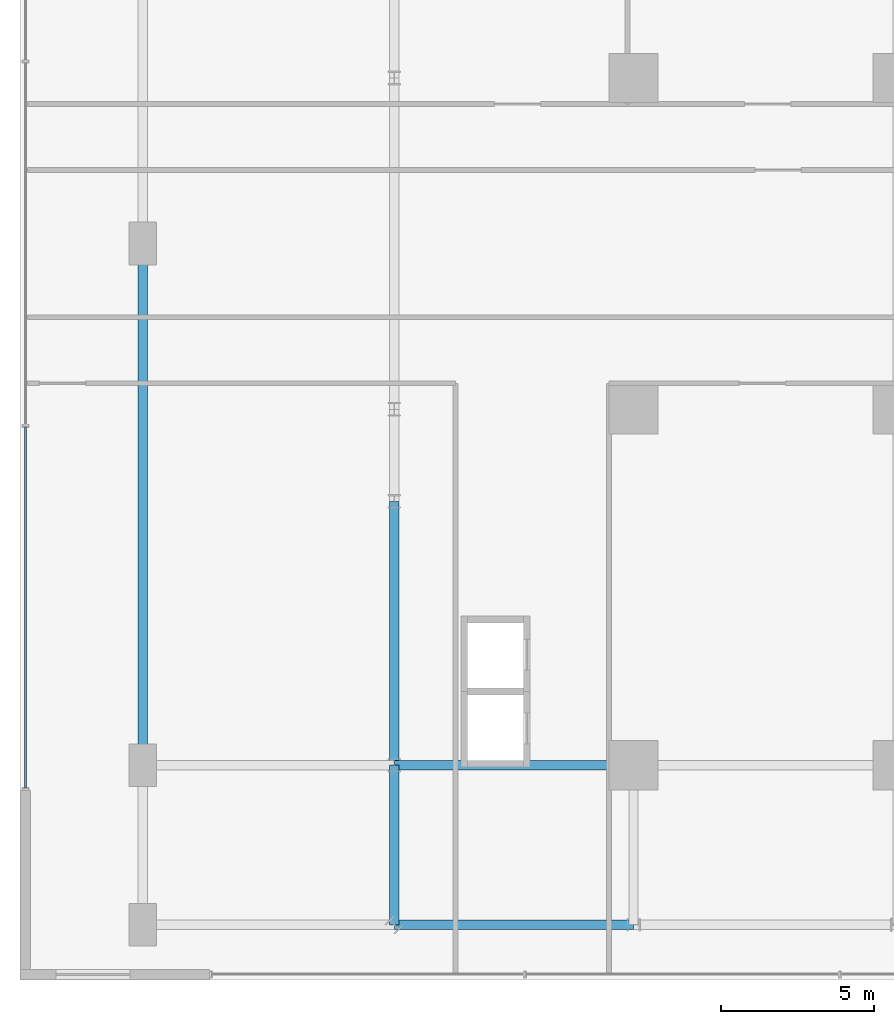
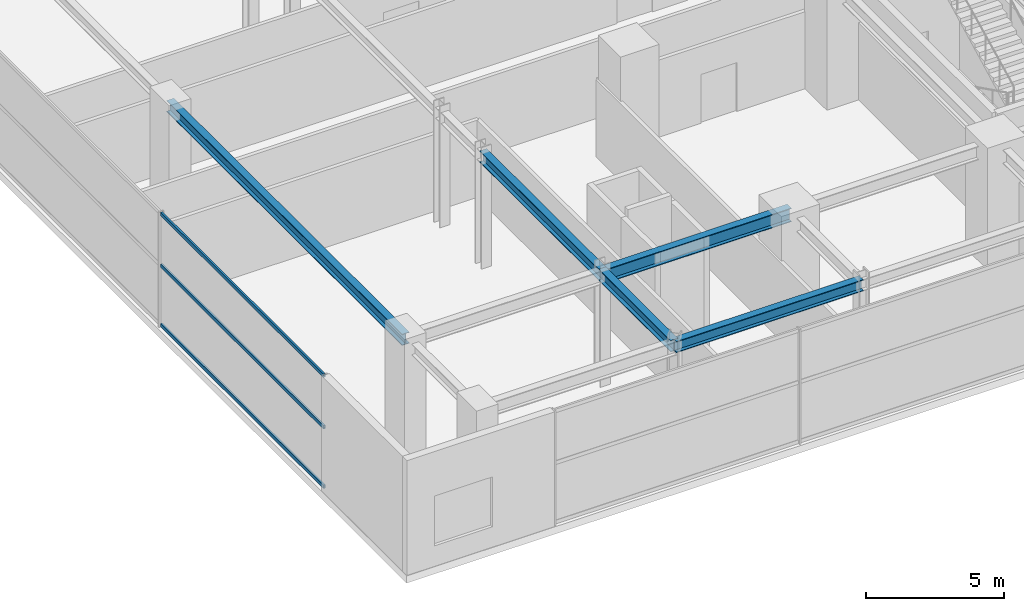
# One storey, part 5 of 32: 5 beams, 3 members, 1 element without a shape of its own.
"""IFC4 building model written with IfcOpenShell, lengths in metres."""

from ifc_helpers import new_model, si_unit, direction, frame, origin, origin_2d, place, context, subcontext, project, spatial, hollow_rectangle, i_section, extrude, source, transform, mapped, material, material_profile, profile_set, type_object, element, aggregate, save


model = new_model("IFC4")

# Units and contexts
model_context = context("Model", 3, precision=1e-05, world=origin(), true_north=direction((0.0, 1.0)))
body_context = subcontext(model_context, "Body", "Model", "MODEL_VIEW")
ifc_project = project(units=[si_unit("LENGTHUNIT", "METRE"), si_unit("AREAUNIT", "SQUARE_METRE"), si_unit("VOLUMEUNIT", "CUBIC_METRE"), si_unit("PLANEANGLEUNIT", "RADIAN"), si_unit("MASSUNIT", "GRAM", prefix="KILO")], contexts=[model_context])

# Site, building, storey
site_placement = place(None, origin())
site = spatial("IfcSite", under=ifc_project, at=site_placement, CompositionType="ELEMENT")
building_placement = place(site_placement, origin())
building = spatial("IfcBuilding", under=site, at=building_placement, Name="Nahalor Promenade Grand Hotel", CompositionType="ELEMENT")
storey_placement = place(building_placement, frame((0.0, 0.0, 10.800048828125)))
storey = spatial("IfcBuildingStorey", under=building, at=storey_placement, Name="L02", CompositionType="ELEMENT", Elevation=10.800048828125)

# Beams
ifc_material_1 = material(Name="Steel S355JR", Category="steel")
ifc_material_profile_1 = material_profile(ifc_material_1, i_section(OverallWidth=0.3, OverallDepth=0.6, WebThickness=0.0155, FlangeThickness=0.03, at=origin_2d()), Name="HEB 600")
ifc_profile_set_1 = profile_set([ifc_material_profile_1], Name="Steel S355JR")
beam_type_1 = type_object("IfcBeamType", Name="Beam-Girder-HEB600", PredefinedType="BEAM", material=ifc_profile_set_1)
shared_shape_1 = source(origin(), body_context, "Body", "SweptSolid", [
    extrude(i_section(OverallWidth=0.3, OverallDepth=0.6, WebThickness=0.0155, FlangeThickness=0.03, at=origin_2d()), origin(), (0.0, 0.0, 1.0), 7.800048828125),
])
beam_1_placement = place(storey_placement, frame((-24.800048828125, -17.0, 4.760009765625), z_axis=(1.0, 0.0, 0.0), x_axis=(0.0, 1.0, 0.0)))
element("IfcBeam", 1, at=beam_1_placement, inside=storey, type_object=beam_type_1, Name="BM-L02-GX-0-1", PredefinedType="BEAM", context=body_context, shape_type="MappedRepresentation", body=[
    mapped(shared_shape_1, transform((0.0, 0.0, 0.0), scale=1.0)),
])
ifc_material_profile_2 = material_profile(ifc_material_1, i_section(OverallWidth=0.3, OverallDepth=0.5, WebThickness=0.0145, FlangeThickness=0.028, at=origin_2d()), Name="HEB 500")
ifc_profile_set_2 = profile_set([ifc_material_profile_2], Name="Steel S355JR")
beam_type_2 = type_object("IfcBeamType", Name="Beam-Spandrel-HEB500", PredefinedType="SPANDREL", material=ifc_profile_set_2)
shared_shape_2 = source(origin(), body_context, "Body", "SweptSolid", [
    extrude(i_section(OverallWidth=0.3, OverallDepth=0.5, WebThickness=0.0145, FlangeThickness=0.028, at=origin_2d()), origin(), (0.0, 0.0, 1.0), 8.60009765625),
])
beam_2_placement = place(storey_placement, frame((-24.800048828125, -17.0, 4.81005859375), z_axis=(0.0, 1.0, 0.0), x_axis=(-1.0, 0.0, 0.0)))
element("IfcBeam", 2, at=beam_2_placement, inside=storey, type_object=beam_type_2, Name="BM-L02-SP-W-0", PredefinedType="SPANDREL", context=body_context, shape_type="MappedRepresentation", body=[
    mapped(shared_shape_2, transform((0.0, 0.0, 0.0), scale=1.0)),
])
shared_shape_3 = source(origin(), body_context, "Body", "SweptSolid", [
    extrude(i_section(OverallWidth=0.3, OverallDepth=0.5, WebThickness=0.0145, FlangeThickness=0.028, at=origin_2d()), origin(), (0.0, 0.0, 1.0), 7.800048828125),
])
beam_3_placement = place(storey_placement, frame((-17.0, -22.199951171875, 4.81005859375), z_axis=(-1.0, 0.0, 0.0), x_axis=(0.0, -1.0, 0.0)))
element("IfcBeam", 3, at=beam_3_placement, inside=storey, type_object=beam_type_2, Name="BM-L02-SPC-SW-1", PredefinedType="SPANDREL", context=body_context, shape_type="MappedRepresentation", body=[
    mapped(shared_shape_3, transform((0.0, 0.0, 0.0), scale=1.0)),
])
shared_shape_4 = source(origin(), body_context, "Body", "SweptSolid", [
    extrude(i_section(OverallWidth=0.3, OverallDepth=0.5, WebThickness=0.0145, FlangeThickness=0.028, at=origin_2d()), origin(), (0.0, 0.0, 1.0), 5.199951171875),
])
beam_4_placement = place(storey_placement, frame((-24.800048828125, -22.199951171875, 4.81005859375), z_axis=(0.0, 1.0, 0.0), x_axis=(-1.0, 0.0, 0.0)))
element("IfcBeam", 4, at=beam_4_placement, inside=storey, type_object=beam_type_2, Name="BM-L02-SPC-SW-2", PredefinedType="SPANDREL", context=body_context, shape_type="MappedRepresentation", body=[
    mapped(shared_shape_4, transform((0.0, 0.0, 0.0), scale=1.0)),
])
shared_shape_5 = source(origin(), body_context, "Body", "SweptSolid", [
    extrude(i_section(OverallWidth=0.3, OverallDepth=0.5, WebThickness=0.0145, FlangeThickness=0.028, at=origin_2d()), origin(), (0.0, 0.0, 1.0), 17.0),
])
beam_5_placement = place(storey_placement, frame((-33.0, -17.0, 4.81005859375), z_axis=(0.0, 1.0, 0.0), x_axis=(-1.0, 0.0, 0.0)))
element("IfcBeam", 5, at=beam_5_placement, inside=storey, type_object=beam_type_2, Name="BM-L02-PW-1", PredefinedType="SPANDREL", context=body_context, shape_type="MappedRepresentation", body=[
    mapped(shared_shape_5, transform((0.0, 0.0, 0.0), scale=1.0)),
])

# Curtain wall, members
ifc_material_2 = material(Name="Anodised Bronze Aluminium EN AW-6063 T6", Category="aluminium")
curtain_wall_type = type_object("IfcCurtainWallType", Name="CW1 Waterfront Podium Bronze Arcade Curtain Wall", PredefinedType="USERDEFINED", material=ifc_material_2)
curtain_wall_placement = place(storey_placement, origin())
curtain_wall = element("IfcCurtainWall", 6, at=curtain_wall_placement, inside=storey, type_object=curtain_wall_type, Name="L02 Curtain Wall CW-L02-W", ObjectType="UNITISED_CURTAIN_WALL", PredefinedType="USERDEFINED")
ifc_material_profile_3 = material_profile(ifc_material_2, hollow_rectangle(XDim=0.08, YDim=0.16, WallThickness=0.004, at=origin_2d()), Name="CWT 80x160x4")
ifc_profile_set_3 = profile_set([ifc_material_profile_3], Name="Anodised Bronze Aluminium EN AW-6063 T6")
member_type = type_object("IfcMemberType", Name="CWT1 Podium Bronze Transom 80x160", PredefinedType="USERDEFINED", material=ifc_profile_set_3)
shared_shape_6 = source(origin(), body_context, "Body", "SweptSolid", [
    extrude(hollow_rectangle(XDim=0.08, YDim=0.16, WallThickness=0.004, at=origin_2d()), origin(), (0.0, 0.0, 1.0), 11.760009765625),
])
member_1_placement = place(storey_placement, frame((-36.820068359375, -17.739990234375, 0.079833984375), z_axis=(0.0, 1.0, 0.0), x_axis=(-1.0, 0.0, 0.0)))
member_1 = element("IfcMember", 7, at=member_1_placement, type_object=member_type, Name="CW-L02-W Transom 0-0", ObjectType="TRANSOM", PredefinedType="USERDEFINED", context=body_context, shape_type="MappedRepresentation", body=[
    mapped(shared_shape_6, transform((0.0, 0.0, 0.0), scale=1.0)),
])
member_2_placement = place(storey_placement, frame((-36.820068359375, -17.739990234375, 2.699951171875), z_axis=(0.0, 1.0, 0.0), x_axis=(-1.0, 0.0, 0.0)))
member_2 = element("IfcMember", 8, at=member_2_placement, type_object=member_type, Name="CW-L02-W Transom 0-1", ObjectType="TRANSOM", PredefinedType="USERDEFINED", context=body_context, shape_type="MappedRepresentation", body=[
    mapped(shared_shape_6, transform((0.0, 0.0, 0.0), scale=1.0)),
])
member_3_placement = place(storey_placement, frame((-36.820068359375, -17.739990234375, 4.97998046875), z_axis=(0.0, 1.0, 0.0), x_axis=(-1.0, 0.0, 0.0)))
member_3 = element("IfcMember", 9, at=member_3_placement, type_object=member_type, Name="CW-L02-W Transom 0-2", ObjectType="TRANSOM", PredefinedType="USERDEFINED", context=body_context, shape_type="MappedRepresentation", body=[
    mapped(shared_shape_6, transform((0.0, 0.0, 0.0), scale=1.0)),
])
aggregate(curtain_wall, [member_1, member_2, member_3])

save(model, "model.ifc")
